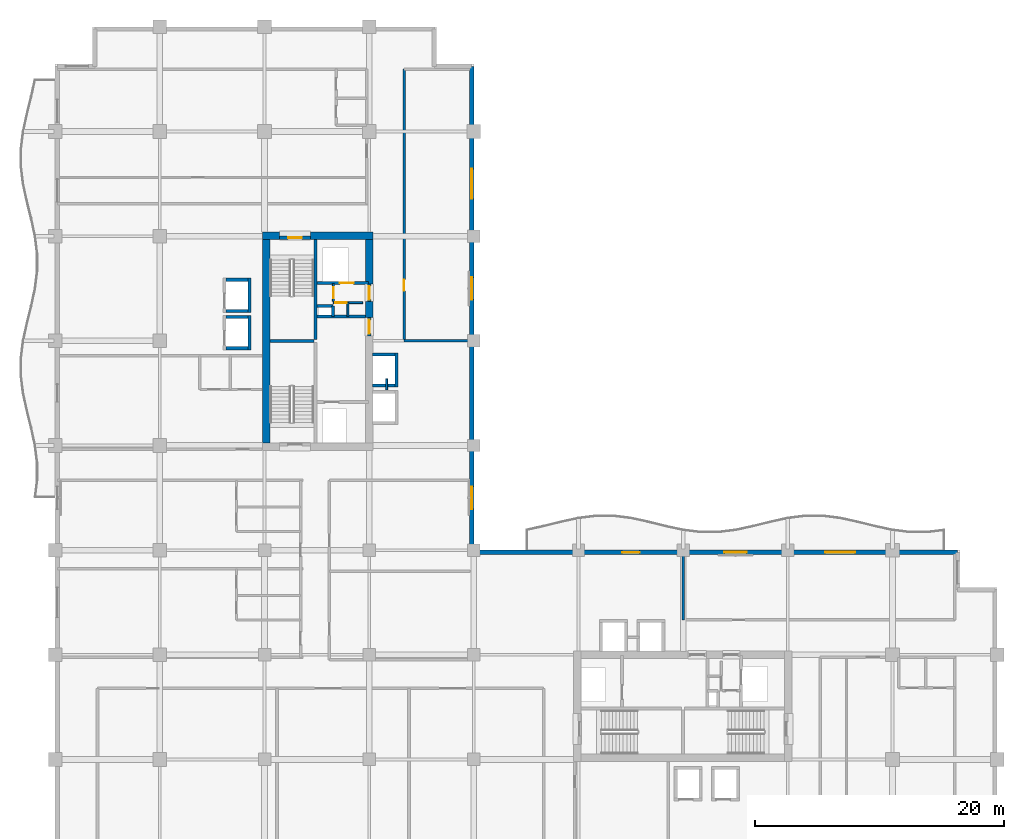
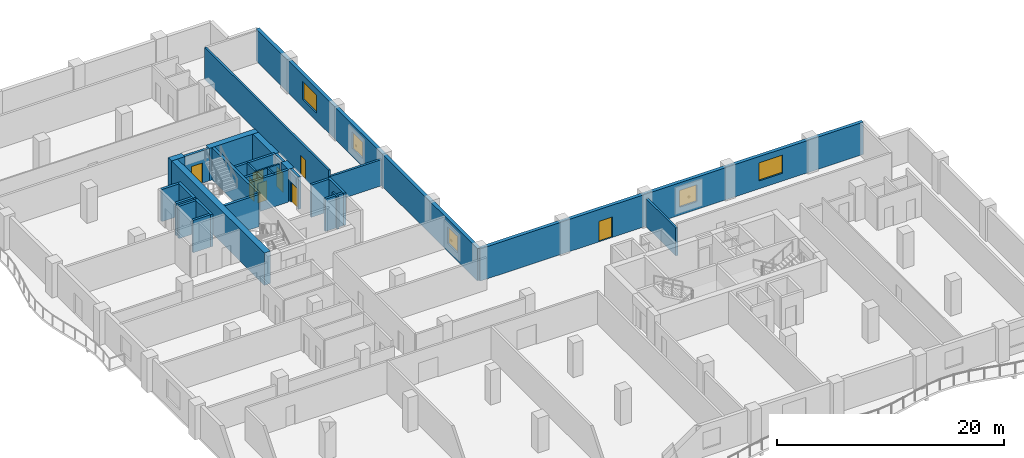
# One storey, part 7 of 15: 32 walls, 8 doors, 5 windows, 13 openings.
"""IFC4 building model written with IfcOpenShell, lengths in metres."""

import ifcopenshell
import ifcopenshell.guid

model = None  # the IFC model being written
_history = None  # IfcOwnerHistory: only IFC2X3 demands one
_inside = {}  # id of a spatial element -> (the spatial element, [elements in it])
_under = {}  # id of a project, library or spatial element -> (it, [spatial elements below it])
_declared = {}  # id of a project -> (the project, [libraries it declares])
_typed = {}  # id of a type object -> (the type object, [elements of that type])
_made_of = {}  # id of a material, layer set ... -> (it, [elements and type objects made of it])


def new_model(schema):
    """Start an empty IFC model of exactly this schema.

    Asked for "IFC4X3", IfcOpenShell would pick the latest addendum, in which some entities
    have other attributes; the version numbers below select the first issue.
    IFC2X3 requires an IfcOwnerHistory on every rooted entity: one is made here for all.
    """
    global model, _history
    if schema == "IFC4X3":
        model = ifcopenshell.file(schema_version=(4, 3, 0, 0))
    else:
        model = ifcopenshell.file(schema=schema)
    _inside.clear()
    _under.clear()
    _declared.clear()
    _typed.clear()
    _made_of.clear()
    _history = None
    if model.schema == "IFC2X3":
        org = make("IfcOrganization", Name="unknown")
        user = make(
            "IfcPersonAndOrganization",
            ThePerson=make("IfcPerson", FamilyName="unknown"),
            TheOrganization=org,
        )
        app = make(
            "IfcApplication",
            ApplicationDeveloper=org,
            Version="unknown",
            ApplicationFullName="unknown",
            ApplicationIdentifier="unknown",
        )
        _history = make(
            "IfcOwnerHistory",
            OwningUser=user,
            OwningApplication=app,
            ChangeAction="ADDED",
            CreationDate=0,
        )
    return model


def make(cls, **values):
    """One entity of the class cls with the attributes given. An attribute that is None is left unset."""
    return model.create_entity(
        cls, **{name: value for name, value in values.items() if value is not None}
    )


def rooted(cls, **values):
    """An entity with a GlobalId (a new one), such as an element, a storey or a relation."""
    return make(cls, GlobalId=ifcopenshell.guid.new(), OwnerHistory=_history, **values)


def si_unit(unit_type, name, prefix=None):
    """IfcSIUnit, for example si_unit("LENGTHUNIT", "METRE", prefix="MILLI")."""
    return make("IfcSIUnit", UnitType=unit_type, Prefix=prefix, Name=name)


def assignment(units):
    """IfcUnitAssignment: the units of a project."""
    return None if units is None else make("IfcUnitAssignment", Units=units)


def point(xyz):
    """IfcCartesianPoint."""
    return None if xyz is None else make("IfcCartesianPoint", Coordinates=xyz)


def direction(xyz):
    """IfcDirection."""
    return None if xyz is None else make("IfcDirection", DirectionRatios=xyz)


def frame(location, z_axis=None, x_axis=None):
    """IfcAxis2Placement3D, a coordinate frame: its origin and axes. An axis left out is left unset."""
    return make(
        "IfcAxis2Placement3D",
        Location=point(location),
        Axis=direction(z_axis),
        RefDirection=direction(x_axis),
    )


def frame_2d(location, x_axis=None):
    """IfcAxis2Placement2D, a coordinate frame in the plane: its origin and x axis."""
    return make(
        "IfcAxis2Placement2D", Location=point(location), RefDirection=direction(x_axis)
    )


def origin():
    """The frame at (0, 0, 0) with its axes left unset."""
    return frame((0.0, 0.0, 0.0))


def place(relative_to, where):
    """IfcLocalPlacement: puts the frame where relative to a parent placement (None: the world)."""
    return make(
        "IfcLocalPlacement", PlacementRelTo=relative_to, RelativePlacement=where
    )


def context(
    kind, dimensions, precision=None, world=None, true_north=None, identifier=None
):
    """IfcGeometricRepresentationContext, for example the 3D "Model" context."""
    return make(
        "IfcGeometricRepresentationContext",
        ContextIdentifier=identifier,
        ContextType=kind,
        CoordinateSpaceDimension=dimensions,
        Precision=precision,
        WorldCoordinateSystem=world,
        TrueNorth=true_north,
    )


def subcontext(parent, identifier, kind, view, scale=None):
    """IfcGeometricRepresentationSubContext, for example "Body" below "Model"."""
    return make(
        "IfcGeometricRepresentationSubContext",
        ContextIdentifier=identifier,
        ContextType=kind,
        ParentContext=parent,
        TargetScale=scale,
        TargetView=view,
    )


def project(units=None, contexts=None):
    """IfcProject with its units and contexts."""
    return rooted(
        "IfcProject",
        Name="project",
        RepresentationContexts=contexts,
        UnitsInContext=assignment(units),
    )


def spatial(cls, under=None, at=None, **own):
    """A site, building, storey or space (cls), placed at a placement, below another one or the project."""
    s = rooted(cls, ObjectPlacement=at, **own)
    if under is not None:
        _under.setdefault(under.id(), (under, []))[1].append(s)
    return s


def profile(cls, at=None, kind="AREA", **sizes):
    """A parametric profile (cls). Its sizes go by their IFC names, for example OverallWidth=200.0."""
    return make(cls, ProfileType=kind, Position=at, **sizes)


def rectangle(**sizes):
    """IfcRectangleProfileDef."""
    return profile("IfcRectangleProfileDef", **sizes)


def extrude(swept, where, along, depth):
    """IfcExtrudedAreaSolid: the profile swept, set in the frame where, extruded along a direction by depth."""
    return make(
        "IfcExtrudedAreaSolid",
        SweptArea=swept,
        Position=where,
        ExtrudedDirection=direction(along),
        Depth=depth,
    )


def shape(context_of_items, identifier, shape_type, items):
    """IfcShapeRepresentation: the items that make up one representation, for example the "Body"."""
    return make(
        "IfcShapeRepresentation",
        ContextOfItems=context_of_items,
        RepresentationIdentifier=identifier,
        RepresentationType=shape_type,
        Items=items,
    )


def material(Name=None, Category=None):
    """IfcMaterial."""
    return make("IfcMaterial", Name=Name, Category=Category)


def layer(
    of_material, thickness, ventilated=None, Name=None, Category=None, Priority=None
):
    """IfcMaterialLayer: one layer of a wall or slab, of a material (None: an air gap)."""
    return make(
        "IfcMaterialLayer",
        Material=of_material,
        LayerThickness=thickness,
        IsVentilated=ventilated,
        Name=Name,
        Category=Category,
        Priority=Priority,
    )


def layer_set(layers, Name=None):
    """IfcMaterialLayerSet."""
    return make("IfcMaterialLayerSet", MaterialLayers=layers, LayerSetName=Name)


def made_of(thing, what):
    """Note that an element or type object is made of a material, layer set ...; save() writes the relation."""
    if what is not None:
        _made_of.setdefault(what.id(), (what, []))[1].append(thing)
    return thing


def type_object(cls, material=None, **own):
    """A type object (cls), such as IfcWallType, which elements share."""
    return made_of(rooted(cls, **own), material)


def element(
    cls,
    number,
    at=None,
    inside=None,
    cuts=None,
    type_object=None,
    material=None,
    context=None,
    identifier="Body",
    shape_type=None,
    held_by="IfcProductDefinitionShape",
    body=None,
    shapes=None,
    **own,
):
    """One element of the class cls, such as IfcWall. Its Tag is "e" and its number.

    at: its placement. inside: the storey or other place that contains it. cuts: it is an
    opening in that element (IfcRelVoidsElement). A single representation is given by context,
    identifier, shape_type and body (its items); several are given by shapes. held_by: the class
    of the entity that holds the representations. save() writes the other relations.
    """
    e = rooted(cls, Tag="e%d" % number, ObjectPlacement=at, **own)
    if body is not None:
        shapes = [shape(context, identifier, shape_type, body)]
    if shapes is not None:
        e.Representation = make(held_by, Representations=shapes)
    if inside is not None:
        _inside.setdefault(inside.id(), (inside, []))[1].append(e)
    if cuts is not None:
        rooted(
            "IfcRelVoidsElement", RelatingBuildingElement=cuts, RelatedOpeningElement=e
        )
    if type_object is not None:
        _typed.setdefault(type_object.id(), (type_object, []))[1].append(e)
    return made_of(e, material)


def fill(opening, filler):
    """IfcRelFillsElement: the door or window that sits in an opening."""
    return rooted(
        "IfcRelFillsElement",
        RelatingOpeningElement=opening,
        RelatedBuildingElement=filler,
    )


def aggregate(whole, parts):
    """IfcRelAggregates: a whole, such as a stair, and the parts it consists of."""
    return rooted("IfcRelAggregates", RelatingObject=whole, RelatedObjects=parts)


def save(model, path):
    """Write the relations noted so far, then the file.

    IfcRelAggregates (storeys below a building ...), IfcRelContainedInSpatialStructure (elements
    in a storey), IfcRelDefinesByType, IfcRelAssociatesMaterial and IfcRelDeclares: one each for
    every whole, place, type object, material and project.
    """
    for whole, parts in _under.values():
        aggregate(whole, parts)
    for where, things in _inside.values():
        rooted(
            "IfcRelContainedInSpatialStructure",
            RelatedElements=things,
            RelatingStructure=where,
        )
    for kind, things in _typed.values():
        rooted("IfcRelDefinesByType", RelatedObjects=things, RelatingType=kind)
    for what, things in _made_of.values():
        rooted("IfcRelAssociatesMaterial", RelatedObjects=things, RelatingMaterial=what)
    for by, libraries in _declared.values():
        rooted("IfcRelDeclares", RelatingContext=by, RelatedDefinitions=libraries)
    model.write(path)


model = new_model("IFC4")

# Units and contexts
model_context = context("Model", 3, precision=1e-05, world=origin(), true_north=direction((0.0, 1.0)))
body_context = subcontext(model_context, "Body", "Model", "MODEL_VIEW")
ifc_project = project(units=[si_unit("LENGTHUNIT", "METRE"), si_unit("AREAUNIT", "SQUARE_METRE"), si_unit("VOLUMEUNIT", "CUBIC_METRE"), si_unit("PLANEANGLEUNIT", "RADIAN"), si_unit("MASSUNIT", "GRAM", prefix="KILO")], contexts=[model_context])

# Site, building, storey
site_placement = place(None, origin())
site = spatial("IfcSite", under=ifc_project, at=site_placement, CompositionType="ELEMENT")
building_placement = place(site_placement, origin())
building = spatial("IfcBuilding", under=site, at=building_placement, Name="Koriwani Terraces Tower", CompositionType="ELEMENT")
storey_placement = place(building_placement, frame((0.0, 0.0, 216.10009765625)))
storey = spatial("IfcBuildingStorey", under=building, at=storey_placement, Name="L53", CompositionType="ELEMENT", Elevation=216.10009765625)

# Walls
ifc_material_1 = material(Name="Concrete C60/75", Category="concrete")
ifc_layer_1 = layer(ifc_material_1, 0.60009765625, Name="Concrete C60/75")
ifc_layer_set_1 = layer_set([ifc_layer_1], Name="Concrete C60/75")
wall_type_1 = type_object("IfcWallType", Name="WALL_CORE_RC_600", PredefinedType="SHEAR", material=ifc_layer_set_1)
wall_1_placement = place(storey_placement, frame((16.64990234375, 58.85009765625, 0.0), z_axis=(0.0, 0.0, 1.0), x_axis=(1.0, 0.0, 0.0)))
element("IfcWall", 1, at=wall_1_placement, inside=storey, type_object=wall_type_1, Name="L53 West Split Core Shear Wall N1", PredefinedType="SHEAR", context=body_context, shape_type="SweptSolid", body=[
    extrude(rectangle(XDim=1.35009765625, YDim=0.60009765625, at=frame_2d((0.675048828125, 0.0))), origin(), (0.0, 0.0, 1.0), 3.469970703125),
])
wall_2_placement = place(storey_placement, frame((20.5, 58.85009765625, 0.0), z_axis=(0.0, 0.0, 1.0), x_axis=(1.0, 0.0, 0.0)))
element("IfcWall", 2, at=wall_2_placement, inside=storey, type_object=wall_type_1, Name="L53 West Split Core Shear Wall N2", PredefinedType="SHEAR", context=body_context, shape_type="SweptSolid", body=[
    extrude(rectangle(XDim=5.0, YDim=0.60009765625, at=frame_2d((2.5, 0.0))), origin(), (0.0, 0.0, 1.0), 3.469970703125),
])
wall_3_placement = place(storey_placement, frame((16.949951171875, 42.199951171875, 0.0), z_axis=(0.0, 0.0, 1.0), x_axis=(0.0, 1.0, 0.0)))
element("IfcWall", 3, at=wall_3_placement, inside=storey, type_object=wall_type_1, Name="L53 West Split Core Shear Wall W1", PredefinedType="SHEAR", context=body_context, shape_type="SweptSolid", body=[
    extrude(rectangle(XDim=16.35009765625, YDim=0.60009765625, at=frame_2d((8.175048828125, 0.0))), origin(), (0.0, 0.0, 1.0), 3.469970703125),
])
wall_4_placement = place(storey_placement, frame((25.199951171875, 52.280029296875, 0.0), z_axis=(0.0, 0.0, 1.0), x_axis=(0.0, 1.0, 0.0)))
element("IfcWall", 4, at=wall_4_placement, inside=storey, type_object=wall_type_1, Name="L53 West Split Core Shear Wall E2", PredefinedType="SHEAR", context=body_context, shape_type="SweptSolid", body=[
    extrude(rectangle(XDim=1.27001953125, YDim=0.60009765625, at=frame_2d((0.635009765625, 0.0))), origin(), (0.0, 0.0, 1.0), 3.469970703125),
])
wall_5_placement = place(storey_placement, frame((25.199951171875, 54.949951171875, 0.0), z_axis=(0.0, 0.0, 1.0), x_axis=(0.0, 1.0, 0.0)))
element("IfcWall", 5, at=wall_5_placement, inside=storey, type_object=wall_type_1, Name="L53 West Split Core Shear Wall E3", PredefinedType="SHEAR", context=body_context, shape_type="SweptSolid", body=[
    extrude(rectangle(XDim=3.60009765625, YDim=0.60009765625, at=frame_2d((1.800048828125, 0.0))), origin(), (0.0, 0.0, 1.0), 3.469970703125),
])

# Wall, opening, door
ifc_material_2 = material(Name="Autoclaved Cellular Concrete Blockwork", Category="masonry")
ifc_layer_2 = layer(ifc_material_2, 0.199951171875, Name="Autoclaved Cellular Concrete Blockwork")
ifc_layer_set_2 = layer_set([ifc_layer_2], Name="Autoclaved Cellular Concrete Blockwork")
wall_type_2 = type_object("IfcWallType", Name="WALL_CORRIDOR_200", PredefinedType="PARTITIONING", material=ifc_layer_set_2)
wall_6_placement = place(storey_placement, frame((28.0, 50.39990234375, 0.0), z_axis=(0.0, 0.0, 1.0), x_axis=(0.0, 1.0, 0.0)))
wall_6 = element("IfcWall", 6, at=wall_6_placement, inside=storey, type_object=wall_type_2, Name="L53 Interior Wall WNEC-W-L53", PredefinedType="PARTITIONING", context=body_context, shape_type="SweptSolid", body=[
    extrude(rectangle(XDim=21.800048828125, YDim=0.199951171875, at=frame_2d((10.89990234375, 0.0))), origin(), (0.0, 0.0, 1.0), 3.469970703125),
])
opening_1_placement = place(wall_6_placement, frame((4.0, 0.0, 0.0)))
opening_1 = element("IfcOpeningElement", 7, at=opening_1_placement, cuts=wall_6, Name="Opening D-06", PredefinedType="OPENING", context=body_context, shape_type="SweptSolid", body=[
    extrude(rectangle(XDim=0.919921875, YDim=2.10009765625, at=frame_2d((0.4599609375, 1.050048828125))), frame((0.0, 0.10986328125, 0.0), z_axis=(0.0, -1.0, 0.0), x_axis=(1.0, 0.0, 0.0)), (0.0, 0.0, 1.0), 0.219970703125),
])
ifc_material_3 = material(Name="Architectural Oak Fire Door", Category="wood")
door_type_1 = type_object("IfcDoorType", Name="DOOR_ROOM_INT_920X2100", OperationType="NOTDEFINED", PredefinedType="DOOR", material=ifc_material_3)
door_1_placement = place(opening_1_placement, origin())
door_1 = element("IfcDoor", 8, at=door_1_placement, inside=storey, type_object=door_type_1, Name="L53 North Court Study Door", OperationType="SINGLE_SWING_RIGHT", OverallHeight=2.10009765625, OverallWidth=0.919921875, PredefinedType="DOOR", context=body_context, shape_type="SweptSolid", body=[
    extrude(rectangle(XDim=0.919921875, YDim=2.10009765625, at=frame_2d((0.4599609375, 1.050048828125))), frame((0.0, 0.02490234375, 0.0), z_axis=(0.0, -1.0, 0.0), x_axis=(1.0, 0.0, 0.0)), (0.0, 0.0, 1.0), 0.050048828125),
])
fill(opening_1, door_1)

# Walls
ifc_layer_3 = layer(ifc_material_2, 0.219970703125, Name="Autoclaved Cellular Concrete Blockwork")
ifc_layer_set_3 = layer_set([ifc_layer_3], Name="Autoclaved Cellular Concrete Blockwork")
wall_type_3 = type_object("IfcWallType", Name="WALL_DEMISING_220", PredefinedType="PARTITIONING", material=ifc_layer_set_3)
wall_7_placement = place(storey_placement, frame((28.0, 50.39990234375, 0.0), z_axis=(0.0, 0.0, 1.0), x_axis=(1.0, 0.0, 0.0)))
element("IfcWall", 9, at=wall_7_placement, inside=storey, type_object=wall_type_3, Name="L53 Interior Wall WNEC-S-L53", PredefinedType="PARTITIONING", context=body_context, shape_type="SweptSolid", body=[
    extrude(rectangle(XDim=5.300048828125, YDim=0.219970703125, at=frame_2d((2.64990234375, 0.0))), origin(), (0.0, 0.0, 1.0), 2.81982421875),
])
wall_8_placement = place(storey_placement, frame((50.39990234375, 28.0, 0.0), z_axis=(0.0, 0.0, 1.0), x_axis=(0.0, 1.0, 0.0)))
element("IfcWall", 10, at=wall_8_placement, inside=storey, type_object=wall_type_3, Name="L53 Interior Wall WSEC-W-L53", PredefinedType="PARTITIONING", context=body_context, shape_type="SweptSolid", body=[
    extrude(rectangle(XDim=5.300048828125, YDim=0.219970703125, at=frame_2d((2.64990234375, 0.0))), origin(), (0.0, 0.0, 1.0), 3.0068359375),
])

# Wall, openings, windows
ifc_material_4 = material(Name="Concrete C50/60", Category="concrete")
ifc_layer_4 = layer(ifc_material_4, 0.35009765625, Name="Concrete C50/60")
ifc_layer_set_4 = layer_set([ifc_layer_4], Name="Concrete C50/60")
wall_type_4 = type_object("IfcWallType", Name="WALL_EXT_BRUTALIST_350", PredefinedType="STANDARD", material=ifc_layer_set_4)
wall_9_placement = place(storey_placement, frame((33.425048828125, 72.425048828125, 0.0), z_axis=(0.0, 0.0, 1.0), x_axis=(0.0, -1.0, 0.0)))
wall_9 = element("IfcWall", 11, at=wall_9_placement, inside=storey, type_object=wall_type_4, Name="L53 Fair-Faced Brutalist Exterior Wall (NW_IN)", PredefinedType="STANDARD", context=body_context, shape_type="SweptSolid", body=[
    extrude(rectangle(XDim=39.0, YDim=0.35009765625, at=frame_2d((19.5, 0.0))), origin(), (0.0, 0.0, 1.0), 3.469970703125),
])
opening_2_placement = place(wall_9_placement, frame((33.72509765625, 0.0, 0.85009765625)))
opening_2 = element("IfcOpeningElement", 12, at=opening_2_placement, cuts=wall_9, Name="Opening W-04", PredefinedType="OPENING", context=body_context, shape_type="SweptSolid", body=[
    extrude(rectangle(XDim=1.800048828125, YDim=1.800048828125, at=frame_2d((0.89990234375, 0.89990234375))), frame((0.0, 0.18505859375, 0.0), z_axis=(0.0, -1.0, 0.0), x_axis=(1.0, 0.0, 0.0)), (0.0, 0.0, 1.0), 0.3701171875),
])
opening_3_placement = place(wall_9_placement, frame((16.925048828125, 0.0, 0.85009765625)))
opening_3 = element("IfcOpeningElement", 13, at=opening_3_placement, cuts=wall_9, Name="Opening W-04", PredefinedType="OPENING", context=body_context, shape_type="SweptSolid", body=[
    extrude(rectangle(XDim=1.800048828125, YDim=1.800048828125, at=frame_2d((0.89990234375, 0.89990234375))), frame((0.0, 0.18505859375, 0.0), z_axis=(0.0, -1.0, 0.0), x_axis=(1.0, 0.0, 0.0)), (0.0, 0.0, 1.0), 0.3701171875),
])
opening_4_placement = place(wall_9_placement, frame((8.22509765625, 0.0, 0.85009765625)))
opening_4 = element("IfcOpeningElement", 14, at=opening_4_placement, cuts=wall_9, Name="Opening W-03", PredefinedType="OPENING", context=body_context, shape_type="SweptSolid", body=[
    extrude(rectangle(XDim=2.39990234375, YDim=1.949951171875, at=frame_2d((1.199951171875, 0.97509765625))), frame((0.0, 0.18505859375, 0.0), z_axis=(0.0, -1.0, 0.0), x_axis=(1.0, 0.0, 0.0)), (0.0, 0.0, 1.0), 0.3701171875),
])
ifc_material_5 = material(Name="Tempered Laminated Low-E Glass", Category="glass")
window_type_1 = type_object("IfcWindowType", Name="WIN_RES_BED_1800X1800", PartitioningType="DOUBLE_PANEL_VERTICAL", PredefinedType="WINDOW", material=ifc_material_5)
window_1_placement = place(opening_2_placement, origin())
window_1 = element("IfcWindow", 15, at=window_1_placement, inside=storey, type_object=window_type_1, Name="L53 Exterior Window (NW_IN-2)", OverallHeight=1.800048828125, OverallWidth=1.800048828125, PartitioningType="SINGLE_PANEL", PredefinedType="WINDOW", context=body_context, shape_type="SweptSolid", body=[
    extrude(rectangle(XDim=1.800048828125, YDim=1.800048828125, at=frame_2d((0.89990234375, 0.89990234375))), frame((0.0, 0.030029296875, 0.0), z_axis=(0.0, -1.0, 0.0), x_axis=(1.0, 0.0, 0.0)), (0.0, 0.0, 1.0), 0.06005859375),
])
fill(opening_2, window_1)
window_2_placement = place(opening_3_placement, origin())
window_2 = element("IfcWindow", 16, at=window_2_placement, inside=storey, type_object=window_type_1, Name="L53 Exterior Window (NW_IN-8)", OverallHeight=1.800048828125, OverallWidth=1.800048828125, PartitioningType="SINGLE_PANEL", PredefinedType="WINDOW", context=body_context, shape_type="SweptSolid", body=[
    extrude(rectangle(XDim=1.800048828125, YDim=1.800048828125, at=frame_2d((0.89990234375, 0.89990234375))), frame((0.0, 0.030029296875, 0.0), z_axis=(0.0, -1.0, 0.0), x_axis=(1.0, 0.0, 0.0)), (0.0, 0.0, 1.0), 0.06005859375),
])
fill(opening_3, window_2)
window_type_2 = type_object("IfcWindowType", Name="WIN_RES_LIVING_2400X1950", PartitioningType="DOUBLE_PANEL_VERTICAL", PredefinedType="WINDOW", material=ifc_material_5)
window_3_placement = place(opening_4_placement, origin())
window_3 = element("IfcWindow", 17, at=window_3_placement, inside=storey, type_object=window_type_2, Name="L53 Exterior Window (NW_IN-11)", OverallHeight=1.949951171875, OverallWidth=2.39990234375, PartitioningType="SINGLE_PANEL", PredefinedType="WINDOW", context=body_context, shape_type="SweptSolid", body=[
    extrude(rectangle(XDim=2.39990234375, YDim=1.949951171875, at=frame_2d((1.199951171875, 0.97509765625))), frame((0.0, 0.030029296875, 0.0), z_axis=(0.0, -1.0, 0.0), x_axis=(1.0, 0.0, 0.0)), (0.0, 0.0, 1.0), 0.06005859375),
])
fill(opening_4, window_3)

# Wall, openings, door, windows
wall_10_placement = place(storey_placement, frame((33.425048828125, 33.425048828125, 0.0), z_axis=(0.0, 0.0, 1.0), x_axis=(1.0, 0.0, 0.0)))
wall_10 = element("IfcWall", 18, at=wall_10_placement, inside=storey, type_object=wall_type_4, Name="L53 Fair-Faced Brutalist Exterior Wall (NE)", PredefinedType="STANDARD", context=body_context, shape_type="SweptSolid", body=[
    extrude(rectangle(XDim=39.0, YDim=0.35009765625, at=frame_2d((19.5, 0.0))), origin(), (0.0, 0.0, 1.0), 3.469970703125),
])
opening_5_placement = place(wall_10_placement, frame((12.074951171875, 0.0, 0.0)))
opening_5 = element("IfcOpeningElement", 19, at=opening_5_placement, cuts=wall_10, Name="Opening D-09", PredefinedType="OPENING", context=body_context, shape_type="SweptSolid", body=[
    extrude(rectangle(XDim=1.39990234375, YDim=2.199951171875, at=frame_2d((0.699951171875, 1.10009765625))), frame((0.0, 0.18505859375, 0.0), z_axis=(0.0, -1.0, 0.0), x_axis=(1.0, 0.0, 0.0)), (0.0, 0.0, 1.0), 0.3701171875),
])
opening_6_placement = place(wall_10_placement, frame((20.27490234375, 0.0, 0.85009765625)))
opening_6 = element("IfcOpeningElement", 20, at=opening_6_placement, cuts=wall_10, Name="Opening W-04", PredefinedType="OPENING", context=body_context, shape_type="SweptSolid", body=[
    extrude(rectangle(XDim=1.800048828125, YDim=1.800048828125, at=frame_2d((0.89990234375, 0.89990234375))), frame((0.0, 0.18505859375, 0.0), z_axis=(0.0, -1.0, 0.0), x_axis=(1.0, 0.0, 0.0)), (0.0, 0.0, 1.0), 0.3701171875),
])
opening_7_placement = place(wall_10_placement, frame((28.375, 0.0, 0.85009765625)))
opening_7 = element("IfcOpeningElement", 21, at=opening_7_placement, cuts=wall_10, Name="Opening W-03", PredefinedType="OPENING", context=body_context, shape_type="SweptSolid", body=[
    extrude(rectangle(XDim=2.39990234375, YDim=1.949951171875, at=frame_2d((1.199951171875, 0.97509765625))), frame((0.0, 0.18505859375, 0.0), z_axis=(0.0, -1.0, 0.0), x_axis=(1.0, 0.0, 0.0)), (0.0, 0.0, 1.0), 0.3701171875),
])
ifc_material_6 = material(Name="Anodised Bronze Aluminium", Category="aluminium")
door_type_2 = type_object("IfcDoorType", Name="DOOR_BALCONY_GLAZED_1400X2200", OperationType="NOTDEFINED", PredefinedType="DOOR", material=ifc_material_6)
door_2_placement = place(opening_5_placement, origin())
door_2 = element("IfcDoor", 22, at=door_2_placement, inside=storey, type_object=door_type_2, Name="L53 Inner Court Balcony Glazed Door", OperationType="SINGLE_SWING_LEFT", OverallHeight=2.199951171875, OverallWidth=1.39990234375, PredefinedType="DOOR", context=body_context, shape_type="SweptSolid", body=[
    extrude(rectangle(XDim=1.39990234375, YDim=2.199951171875, at=frame_2d((0.699951171875, 1.10009765625))), frame((0.0, 0.02490234375, 0.0), z_axis=(0.0, -1.0, 0.0), x_axis=(1.0, 0.0, 0.0)), (0.0, 0.0, 1.0), 0.050048828125),
])
fill(opening_5, door_2)
window_4_placement = place(opening_6_placement, origin())
window_4 = element("IfcWindow", 23, at=window_4_placement, inside=storey, type_object=window_type_1, Name="L53 Exterior Window (NE-8)", OverallHeight=1.800048828125, OverallWidth=1.800048828125, PartitioningType="SINGLE_PANEL", PredefinedType="WINDOW", context=body_context, shape_type="SweptSolid", body=[
    extrude(rectangle(XDim=1.800048828125, YDim=1.800048828125, at=frame_2d((0.89990234375, 0.89990234375))), frame((0.0, 0.030029296875, 0.0), z_axis=(0.0, -1.0, 0.0), x_axis=(1.0, 0.0, 0.0)), (0.0, 0.0, 1.0), 0.06005859375),
])
fill(opening_6, window_4)
window_5_placement = place(opening_7_placement, origin())
window_5 = element("IfcWindow", 24, at=window_5_placement, inside=storey, type_object=window_type_2, Name="L53 Exterior Window (NE-11)", OverallHeight=1.949951171875, OverallWidth=2.39990234375, PartitioningType="SINGLE_PANEL", PredefinedType="WINDOW", context=body_context, shape_type="SweptSolid", body=[
    extrude(rectangle(XDim=2.39990234375, YDim=1.949951171875, at=frame_2d((1.199951171875, 0.97509765625))), frame((0.0, 0.030029296875, 0.0), z_axis=(0.0, -1.0, 0.0), x_axis=(1.0, 0.0, 0.0)), (0.0, 0.0, 1.0), 0.06005859375),
])
fill(opening_7, window_5)

# Walls
ifc_material_7 = material(Name="Concrete C40/50", Category="concrete")
ifc_layer_5 = layer(ifc_material_7, 0.25, Name="Concrete C40/50")
ifc_layer_set_5 = layer_set([ifc_layer_5], Name="Concrete C40/50")
wall_type_5 = type_object("IfcWallType", Name="WALL_SHAFT_RATED_250", PredefinedType="SOLIDWALL", material=ifc_layer_set_5)
wall_11_placement = place(storey_placement, frame((20.875, 50.5, 0.0), z_axis=(0.0, 0.0, 1.0), x_axis=(0.0, 1.0, 0.0)))
element("IfcWall", 25, at=wall_11_placement, inside=storey, type_object=wall_type_5, Name="L53 West Split Core Web Wall MID2", PredefinedType="SOLIDWALL", context=body_context, shape_type="SweptSolid", body=[
    extrude(rectangle(XDim=8.050048828125, YDim=0.25, at=frame_2d((4.02490234375, 0.0))), origin(), (0.0, 0.0, 1.0), 3.469970703125),
])
wall_12_placement = place(storey_placement, frame((17.25, 50.375, 0.0), z_axis=(0.0, 0.0, 1.0), x_axis=(1.0, 0.0, 0.0)))
element("IfcWall", 26, at=wall_12_placement, inside=storey, type_object=wall_type_5, Name="L53 West Split Core Stair Dividing Wall", PredefinedType="SOLIDWALL", context=body_context, shape_type="SweptSolid", body=[
    extrude(rectangle(XDim=3.5, YDim=0.25, at=frame_2d((1.75, 0.0))), origin(), (0.0, 0.0, 1.0), 3.469970703125),
])

# Wall, opening, door
wall_13_placement = place(storey_placement, frame((18.0, 58.675048828125, 0.0), z_axis=(0.0, 0.0, 1.0), x_axis=(1.0, 0.0, 0.0)))
wall_13 = element("IfcWall", 27, at=wall_13_placement, inside=storey, type_object=wall_type_5, Name="L53 Interior Wall WIN-CW-L53-STN", PredefinedType="SOLIDWALL", context=body_context, shape_type="SweptSolid", body=[
    extrude(rectangle(XDim=2.5, YDim=0.25, at=frame_2d((1.25, 0.0))), origin(), (0.0, 0.0, 1.0), 3.469970703125),
])
opening_8_placement = place(wall_13_placement, frame((0.699951171875, 0.0, 0.0)))
opening_8 = element("IfcOpeningElement", 28, at=opening_8_placement, cuts=wall_13, Name="Opening D-03", PredefinedType="OPENING", context=body_context, shape_type="SweptSolid", body=[
    extrude(rectangle(XDim=1.10009765625, YDim=2.14990234375, at=frame_2d((0.550048828125, 1.074951171875))), frame((0.0, 0.135009765625, 0.0), z_axis=(0.0, -1.0, 0.0), x_axis=(1.0, 0.0, 0.0)), (0.0, 0.0, 1.0), 0.27001953125),
])
ifc_material_8 = material(Name="Steel ASTM A572 Grade 50", Category="steel")
door_type_3 = type_object("IfcDoorType", Name="DOOR_STAIR_FIRE_1100X2150", OperationType="NOTDEFINED", PredefinedType="DOOR", material=ifc_material_8)
door_3_placement = place(opening_8_placement, origin())
door_3 = element("IfcDoor", 29, at=door_3_placement, inside=storey, type_object=door_type_3, Name="L53 Exit Stair ST-W2 Door", OperationType="SINGLE_SWING_RIGHT", OverallHeight=2.14990234375, OverallWidth=1.10009765625, PredefinedType="DOOR", context=body_context, shape_type="SweptSolid", body=[
    extrude(rectangle(XDim=1.10009765625, YDim=2.14990234375, at=frame_2d((0.550048828125, 1.074951171875))), frame((0.0, 0.02490234375, 0.0), z_axis=(0.0, -1.0, 0.0), x_axis=(1.0, 0.0, 0.0)), (0.0, 0.0, 1.0), 0.050048828125),
])
fill(opening_8, door_3)

wall_14_placement = place(storey_placement, frame((25.199951171875, 50.800048828125, 0.0), z_axis=(0.0, 0.0, 1.0), x_axis=(0.0, 1.0, 0.0)))
wall_14 = element("IfcWall", 30, at=wall_14_placement, inside=storey, type_object=wall_type_5, Name="L53 Interior Wall WIN-CW-L53-EP", PredefinedType="SOLIDWALL", context=body_context, shape_type="SweptSolid", body=[
    extrude(rectangle(XDim=1.47998046875, YDim=0.25, at=frame_2d((0.739990234375, 0.0))), origin(), (0.0, 0.0, 1.0), 3.469970703125),
])
opening_9_placement = place(wall_14_placement, frame((0.179931640625, 0.0, 0.0)))
opening_9 = element("IfcOpeningElement", 31, at=opening_9_placement, cuts=wall_14, Name="Opening D-03", PredefinedType="OPENING", context=body_context, shape_type="SweptSolid", body=[
    extrude(rectangle(XDim=1.10009765625, YDim=2.14990234375, at=frame_2d((0.550048828125, 1.074951171875))), frame((0.0, 0.135009765625, 0.0), z_axis=(0.0, -1.0, 0.0), x_axis=(1.0, 0.0, 0.0)), (0.0, 0.0, 1.0), 0.27001953125),
])
door_4_placement = place(opening_9_placement, origin())
door_4 = element("IfcDoor", 32, at=door_4_placement, inside=storey, type_object=door_type_3, Name="L53 West Firefighting Lobby Door", OperationType="SINGLE_SWING_LEFT", OverallHeight=2.14990234375, OverallWidth=1.10009765625, PredefinedType="DOOR", context=body_context, shape_type="SweptSolid", body=[
    extrude(rectangle(XDim=1.10009765625, YDim=2.14990234375, at=frame_2d((0.550048828125, 1.074951171875))), frame((0.0, 0.02490234375, 0.0), z_axis=(0.0, -1.0, 0.0), x_axis=(1.0, 0.0, 0.0)), (0.0, 0.0, 1.0), 0.050048828125),
])
fill(opening_9, door_4)

# Wall
wall_15_placement = place(storey_placement, frame((21.0, 52.340087890625, 0.0), z_axis=(0.0, 0.0, 1.0), x_axis=(1.0, 0.0, 0.0)))
element("IfcWall", 33, at=wall_15_placement, inside=storey, type_object=wall_type_5, Name="L53 Interior Wall WIN-CW-L53-FFN", PredefinedType="SOLIDWALL", context=body_context, shape_type="SweptSolid", body=[
    extrude(rectangle(XDim=3.89990234375, YDim=0.25, at=frame_2d((1.949951171875, 0.0))), origin(), (0.0, 0.0, 1.0), 3.469970703125),
])

# Wall, opening, door
wall_16_placement = place(storey_placement, frame((21.0, 55.050048828125, 0.0), z_axis=(0.0, 0.0, 1.0), x_axis=(1.0, 0.0, 0.0)))
wall_16 = element("IfcWall", 34, at=wall_16_placement, inside=storey, type_object=wall_type_5, Name="L53 Interior Wall WIN-CW-L53-SE", PredefinedType="SOLIDWALL", context=body_context, shape_type="SweptSolid", body=[
    extrude(rectangle(XDim=4.14990234375, YDim=0.25, at=frame_2d((2.074951171875, 0.0))), origin(), (0.0, 0.0, 1.0), 3.469970703125),
])
opening_10_placement = place(wall_16_placement, frame((1.85009765625, 0.0, 0.0)))
opening_10 = element("IfcOpeningElement", 35, at=opening_10_placement, cuts=wall_16, Name="Opening LD-01", PredefinedType="OPENING", context=body_context, shape_type="SweptSolid", body=[
    extrude(rectangle(XDim=1.10009765625, YDim=2.14990234375, at=frame_2d((0.550048828125, 1.074951171875))), frame((0.0, 0.135009765625, 0.0), z_axis=(0.0, -1.0, 0.0), x_axis=(1.0, 0.0, 0.0)), (0.0, 0.0, 1.0), 0.27001953125),
])
door_type_4 = type_object("IfcDoorType", Name="DOOR_LIFT_LANDING_1100X2200", OperationType="NOTDEFINED", PredefinedType="DOOR", material=ifc_material_8)
door_5_placement = place(opening_10_placement, origin())
door_5 = element("IfcDoor", 36, at=door_5_placement, inside=storey, type_object=door_type_4, Name="L53 Goods Lift SE-01 Landing Door", OperationType="SLIDING_TO_LEFT", OverallHeight=2.14990234375, OverallWidth=1.10009765625, PredefinedType="DOOR", context=body_context, shape_type="SweptSolid", body=[
    extrude(rectangle(XDim=1.10009765625, YDim=2.14990234375, at=frame_2d((0.550048828125, 1.074951171875))), frame((0.0, 0.02490234375, 0.0), z_axis=(0.0, -1.0, 0.0), x_axis=(1.0, 0.0, 0.0)), (0.0, 0.0, 1.0), 0.050048828125),
])
fill(opening_10, door_5)

wall_17_placement = place(storey_placement, frame((25.199951171875, 53.550048828125, 0.0), z_axis=(0.0, 0.0, 1.0), x_axis=(0.0, 1.0, 0.0)))
wall_17 = element("IfcWall", 37, at=wall_17_placement, inside=storey, type_object=wall_type_5, Name="L53 Interior Wall WIN-CW-L53-EP2", PredefinedType="SOLIDWALL", context=body_context, shape_type="SweptSolid", body=[
    extrude(rectangle(XDim=1.39990234375, YDim=0.25, at=frame_2d((0.699951171875, 0.0))), origin(), (0.0, 0.0, 1.0), 3.469970703125),
])
opening_11_placement = place(wall_17_placement, frame((0.14990234375, 0.0, 0.0)))
opening_11 = element("IfcOpeningElement", 38, at=opening_11_placement, cuts=wall_17, Name="Opening D-03", PredefinedType="OPENING", context=body_context, shape_type="SweptSolid", body=[
    extrude(rectangle(XDim=1.10009765625, YDim=2.14990234375, at=frame_2d((0.550048828125, 1.074951171875))), frame((0.0, 0.135009765625, 0.0), z_axis=(0.0, -1.0, 0.0), x_axis=(1.0, 0.0, 0.0)), (0.0, 0.0, 1.0), 0.27001953125),
])
door_6_placement = place(opening_11_placement, origin())
door_6 = element("IfcDoor", 39, at=door_6_placement, inside=storey, type_object=door_type_3, Name="L53 West Goods Lift Lobby Door", OperationType="SINGLE_SWING_RIGHT", OverallHeight=2.14990234375, OverallWidth=1.10009765625, PredefinedType="DOOR", context=body_context, shape_type="SweptSolid", body=[
    extrude(rectangle(XDim=1.10009765625, YDim=2.14990234375, at=frame_2d((0.550048828125, 1.074951171875))), frame((0.0, 0.02490234375, 0.0), z_axis=(0.0, -1.0, 0.0), x_axis=(1.0, 0.0, 0.0)), (0.0, 0.0, 1.0), 0.050048828125),
])
fill(opening_11, door_6)

# Walls
wall_18_placement = place(storey_placement, frame((21.0, 53.199951171875, 0.0), z_axis=(0.0, 0.0, 1.0), x_axis=(1.0, 0.0, 0.0)))
element("IfcWall", 40, at=wall_18_placement, inside=storey, type_object=wall_type_5, Name="L53 Interior Wall WIN-CW-L53-RS1", PredefinedType="SOLIDWALL", context=body_context, shape_type="SweptSolid", body=[
    extrude(rectangle(XDim=1.300048828125, YDim=0.25, at=frame_2d((0.64990234375, 0.0))), origin(), (0.0, 0.0, 1.0), 3.469970703125),
])
wall_19_placement = place(storey_placement, frame((22.300048828125, 52.360107421875, 0.0), z_axis=(0.0, 0.0, 1.0), x_axis=(0.0, 1.0, 0.0)))
element("IfcWall", 41, at=wall_19_placement, inside=storey, type_object=wall_type_5, Name="L53 Interior Wall WIN-CW-L53-RS2", PredefinedType="SOLIDWALL", context=body_context, shape_type="SweptSolid", body=[
    extrude(rectangle(XDim=0.83984375, YDim=0.25, at=frame_2d((0.419921875, 0.0))), origin(), (0.0, 0.0, 1.0), 3.469970703125),
])
wall_20_placement = place(storey_placement, frame((15.60009765625, 49.675048828125, 0.0), z_axis=(0.0, 0.0, 1.0), x_axis=(0.0, 1.0, 0.0)))
element("IfcWall", 42, at=wall_20_placement, inside=storey, type_object=wall_type_5, Name="L53 Interior Wall WIN-LF-PE-M1-L53-B", PredefinedType="SOLIDWALL", context=body_context, shape_type="SweptSolid", body=[
    extrude(rectangle(XDim=2.75, YDim=0.25, at=frame_2d((1.375, 0.0))), origin(), (0.0, 0.0, 1.0), 3.469970703125),
])
for number, where, z_axis, x_axis, name in (
    (43, (13.72509765625, 49.800048828125, 0.0), (0.0, 0.0, 1.0), (1.0, 0.0, 0.0), "L53 Interior Wall WIN-LF-PE-M1-L53-S"),
    (44, (13.72509765625, 52.300048828125, 0.0), (0.0, 0.0, 1.0), (1.0, 0.0, 0.0), "L53 Interior Wall WIN-LF-PE-M1-L53-N"),
):
    element("IfcWall", number, at=place(storey_placement, frame(where, z_axis=z_axis, x_axis=x_axis)), inside=storey, type_object=wall_type_5, Name=name, PredefinedType="SOLIDWALL", context=body_context, shape_type="SweptSolid", body=[
        extrude(rectangle(XDim=1.75, YDim=0.25, at=frame_2d((0.875, 0.0))), origin(), (0.0, 0.0, 1.0), 3.469970703125),
    ])
wall_21_placement = place(storey_placement, frame((15.60009765625, 52.675048828125, 0.0), z_axis=(0.0, 0.0, 1.0), x_axis=(0.0, 1.0, 0.0)))
element("IfcWall", 45, at=wall_21_placement, inside=storey, type_object=wall_type_5, Name="L53 Interior Wall WIN-LF-PE-M2-L53-B", PredefinedType="SOLIDWALL", context=body_context, shape_type="SweptSolid", body=[
    extrude(rectangle(XDim=2.75, YDim=0.25, at=frame_2d((1.375, 0.0))), origin(), (0.0, 0.0, 1.0), 3.469970703125),
])
for number, where, z_axis, x_axis, name in (
    (46, (13.72509765625, 52.800048828125, 0.0), (0.0, 0.0, 1.0), (1.0, 0.0, 0.0), "L53 Interior Wall WIN-LF-PE-M2-L53-S"),
    (47, (13.72509765625, 55.300048828125, 0.0), (0.0, 0.0, 1.0), (1.0, 0.0, 0.0), "L53 Interior Wall WIN-LF-PE-M2-L53-N"),
):
    element("IfcWall", number, at=place(storey_placement, frame(where, z_axis=z_axis, x_axis=x_axis)), inside=storey, type_object=wall_type_5, Name=name, PredefinedType="SOLIDWALL", context=body_context, shape_type="SweptSolid", body=[
        extrude(rectangle(XDim=1.75, YDim=0.25, at=frame_2d((0.875, 0.0))), origin(), (0.0, 0.0, 1.0), 3.469970703125),
    ])
wall_22_placement = place(storey_placement, frame((27.39990234375, 46.675048828125, 0.0), z_axis=(0.0, 0.0, 1.0), x_axis=(0.0, 1.0, 0.0)))
element("IfcWall", 48, at=wall_22_placement, inside=storey, type_object=wall_type_5, Name="L53 Interior Wall WIN-LF-PE-H2-L53-F", PredefinedType="SOLIDWALL", context=body_context, shape_type="SweptSolid", body=[
    extrude(rectangle(XDim=2.75, YDim=0.25, at=frame_2d((1.375, 0.0))), origin(), (0.0, 0.0, 1.0), 3.469970703125),
])
for number, where, z_axis, x_axis, name in (
    (49, (25.449951171875, 46.800048828125, 0.0), (0.0, 0.0, 1.0), (1.0, 0.0, 0.0), "L53 Interior Wall WIN-LF-PE-H2-L53-S"),
    (50, (25.449951171875, 49.300048828125, 0.0), (0.0, 0.0, 1.0), (1.0, 0.0, 0.0), "L53 Interior Wall WIN-LF-PE-H2-L53-N"),
):
    element("IfcWall", number, at=place(storey_placement, frame(where, z_axis=z_axis, x_axis=x_axis)), inside=storey, type_object=wall_type_5, Name=name, PredefinedType="SOLIDWALL", context=body_context, shape_type="SweptSolid", body=[
        extrude(rectangle(XDim=1.824951171875, YDim=0.25, at=frame_2d((0.91259765625, 0.0))), origin(), (0.0, 0.0, 1.0), 3.469970703125),
    ])

# Wall, opening, door
ifc_material_9 = material(Name="Fire-Rated Acoustic Gypsum Partition", Category="masonry")
ifc_layer_6 = layer(ifc_material_9, 0.159912109375, Name="Fire-Rated Acoustic Gypsum Partition")
ifc_layer_set_6 = layer_set([ifc_layer_6], Name="Fire-Rated Acoustic Gypsum Partition")
wall_type_6 = type_object("IfcWallType", Name="WALL_SUITE_160", PredefinedType="PARTITIONING", material=ifc_layer_set_6)
wall_23_placement = place(storey_placement, frame((22.320068359375, 53.56005859375, 0.0), z_axis=(0.0, 0.0, 1.0), x_axis=(0.0, 1.0, 0.0)))
wall_23 = element("IfcWall", 51, at=wall_23_placement, inside=storey, type_object=wall_type_6, Name="L53 Interior Wall WIN-CW-L53-SV2A", PredefinedType="PARTITIONING", context=body_context, shape_type="SweptSolid", body=[
    extrude(rectangle(XDim=1.43994140625, YDim=0.159912109375, at=frame_2d((0.719970703125, 0.0))), origin(), (0.0, 0.0, 1.0), 3.469970703125),
])
opening_12_placement = place(wall_23_placement, frame((0.260009765625, 0.0, 0.0)))
opening_12 = element("IfcOpeningElement", 52, at=opening_12_placement, cuts=wall_23, Name="Opening D-07", PredefinedType="OPENING", context=body_context, shape_type="SweptSolid", body=[
    extrude(rectangle(XDim=0.89990234375, YDim=2.10009765625, at=frame_2d((0.449951171875, 1.050048828125))), frame((0.0, 0.08984375, 0.0), z_axis=(0.0, -1.0, 0.0), x_axis=(1.0, 0.0, 0.0)), (0.0, 0.0, 1.0), 0.179931640625),
])
door_type_5 = type_object("IfcDoorType", Name="DOOR_BATH_INT_900X2100", OperationType="NOTDEFINED", PredefinedType="DOOR", material=ifc_material_3)
door_7_placement = place(opening_12_placement, origin())
door_7 = element("IfcDoor", 53, at=door_7_placement, inside=storey, type_object=door_type_5, Name="L53 West Meter Room Door", OperationType="SINGLE_SWING_LEFT", OverallHeight=2.10009765625, OverallWidth=0.89990234375, PredefinedType="DOOR", context=body_context, shape_type="SweptSolid", body=[
    extrude(rectangle(XDim=0.89990234375, YDim=2.10009765625, at=frame_2d((0.449951171875, 1.050048828125))), frame((0.0, 0.02490234375, 0.0), z_axis=(0.0, -1.0, 0.0), x_axis=(1.0, 0.0, 0.0)), (0.0, 0.0, 1.0), 0.050048828125),
])
fill(opening_12, door_7)

wall_24_placement = place(storey_placement, frame((22.320068359375, 53.4599609375, 0.0), z_axis=(0.0, 0.0, 1.0), x_axis=(1.0, 0.0, 0.0)))
wall_24 = element("IfcWall", 54, at=wall_24_placement, inside=storey, type_object=wall_type_6, Name="L53 Interior Wall WIN-CW-L53-SV2H", PredefinedType="PARTITIONING", context=body_context, shape_type="SweptSolid", body=[
    extrude(rectangle(XDim=2.35986328125, YDim=0.159912109375, at=frame_2d((1.179931640625, 0.0))), origin(), (0.0, 0.0, 1.0), 3.469970703125),
])
opening_13_placement = place(wall_24_placement, frame((0.159912109375, 0.0, 0.0)))
opening_13 = element("IfcOpeningElement", 55, at=opening_13_placement, cuts=wall_24, Name="Opening D-07", PredefinedType="OPENING", context=body_context, shape_type="SweptSolid", body=[
    extrude(rectangle(XDim=0.89990234375, YDim=2.10009765625, at=frame_2d((0.449951171875, 1.050048828125))), frame((0.0, 0.08984375, 0.0), z_axis=(0.0, -1.0, 0.0), x_axis=(1.0, 0.0, 0.0)), (0.0, 0.0, 1.0), 0.179931640625),
])
door_8_placement = place(opening_13_placement, origin())
door_8 = element("IfcDoor", 56, at=door_8_placement, inside=storey, type_object=door_type_5, Name="L53 West Valve Room Door", OperationType="SINGLE_SWING_RIGHT", OverallHeight=2.10009765625, OverallWidth=0.89990234375, PredefinedType="DOOR", context=body_context, shape_type="SweptSolid", body=[
    extrude(rectangle(XDim=0.89990234375, YDim=2.10009765625, at=frame_2d((0.449951171875, 1.050048828125))), frame((0.0, 0.02490234375, 0.0), z_axis=(0.0, -1.0, 0.0), x_axis=(1.0, 0.0, 0.0)), (0.0, 0.0, 1.0), 0.050048828125),
])
fill(opening_13, door_8)

# Walls
wall_25_placement = place(storey_placement, frame((23.47998046875, 52.360107421875, 0.0), z_axis=(0.0, 0.0, 1.0), x_axis=(0.0, 1.0, 0.0)))
element("IfcWall", 57, at=wall_25_placement, inside=storey, type_object=wall_type_6, Name="L53 Interior Wall WIN-CW-L53-SV2V", PredefinedType="PARTITIONING", context=body_context, shape_type="SweptSolid", body=[
    extrude(rectangle(XDim=1.099853515625, YDim=0.159912109375, at=frame_2d((0.5498046875, 0.0))), origin(), (0.0, 0.0, 1.0), 3.469970703125),
])
wall_26_placement = place(storey_placement, frame((26.60009765625, 46.4599609375, 0.0), z_axis=(0.0, 0.0, 1.0), x_axis=(0.0, 1.0, 0.0)))
element("IfcWall", 58, at=wall_26_placement, inside=storey, type_object=wall_type_6, Name="L53 Interior Wall WIN-LF-PEH12-MID-L53", PredefinedType="PARTITIONING", context=body_context, shape_type="SweptSolid", body=[
    extrude(rectangle(XDim=0.880126953125, YDim=0.159912109375, at=frame_2d((0.43994140625, 0.0))), origin(), (0.0, 0.0, 1.0), 3.469970703125),
])

save(model, "model.ifc")
